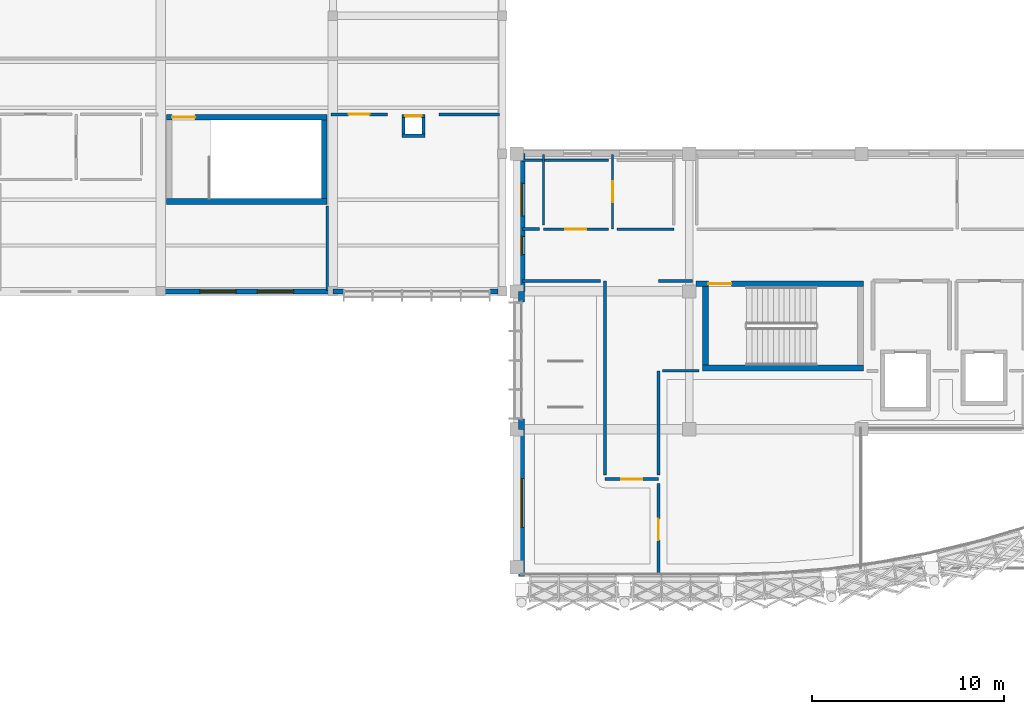
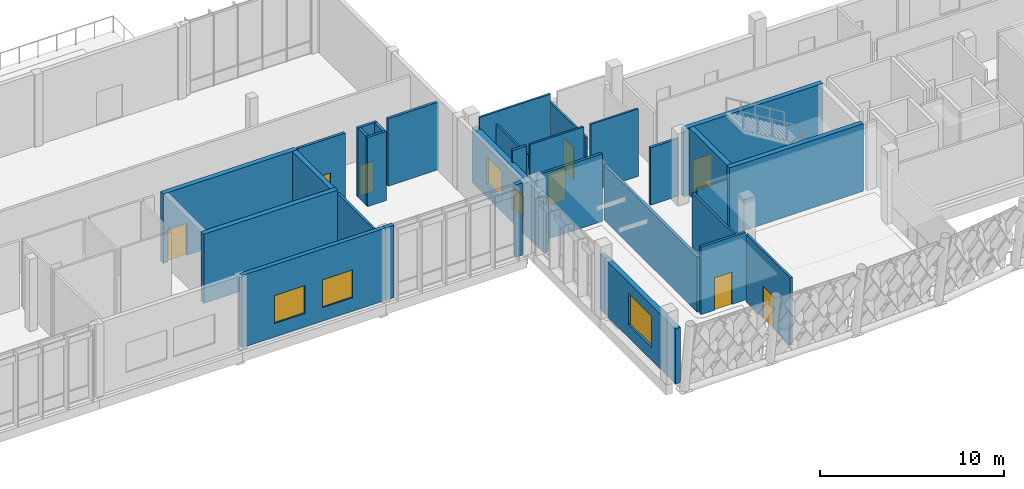
# One storey, part 150 of 177: 33 walls, 8 doors, 5 windows, 13 openings.
"""IFC4 building model written with IfcOpenShell, lengths in metres."""

from ifc_helpers import new_model, si_unit, direction, frame, frame_2d, origin, place, context, subcontext, project, spatial, rectangle, extrude, material, layer, layer_set, type_object, element, fill, save


model = new_model("IFC4")

# Units and contexts
model_context = context("Model", 3, precision=1e-05, world=origin(), true_north=direction((0.0, 1.0)))
body_context = subcontext(model_context, "Body", "Model", "MODEL_VIEW")
ifc_project = project(units=[si_unit("LENGTHUNIT", "METRE"), si_unit("AREAUNIT", "SQUARE_METRE"), si_unit("VOLUMEUNIT", "CUBIC_METRE"), si_unit("PLANEANGLEUNIT", "RADIAN"), si_unit("MASSUNIT", "GRAM", prefix="KILO")], contexts=[model_context])

# Site, building, storey
site_placement = place(None, origin())
site = spatial("IfcSite", under=ifc_project, at=site_placement, CompositionType="ELEMENT")
building_placement = place(site_placement, origin())
building = spatial("IfcBuilding", under=site, at=building_placement, Name="Chiffa Square Polytechnic", CompositionType="ELEMENT")
storey_placement = place(building_placement, frame((0.0, 0.0, 4.800048828125)))
storey = spatial("IfcBuildingStorey", under=building, at=storey_placement, Name="L01", CompositionType="ELEMENT", Elevation=4.800048828125)

# Wall
ifc_material_1 = material(Name="Concrete C40/50", Category="concrete")
ifc_layer_1 = layer(ifc_material_1, 0.300048828125, Name="Concrete C40/50")
ifc_layer_set_1 = layer_set([ifc_layer_1], Name="Concrete C40/50")
wall_type_1 = type_object("IfcWallType", Name="WL-CORE-300", PredefinedType="SHEAR", material=ifc_layer_set_1)
wall_1_placement = place(storey_placement, frame((121.89990234375, 17.60009765625, 0.0), z_axis=(0.0, 0.0, 1.0), x_axis=(1.0, 0.0, 0.0)))
element("IfcWall", 1, at=wall_1_placement, inside=storey, type_object=wall_type_1, Name="Core or enclosure wall WC-CORE-V1A-L01-SOUTH", PredefinedType="SHEAR", context=body_context, shape_type="SweptSolid", body=[
    extrude(rectangle(XDim=8.400146484375, YDim=0.300048828125, at=frame_2d((4.2001953125, 0.0))), origin(), (0.0, 0.0, 1.0), 4.47998046875),
])

# Wall, opening, door
wall_2_placement = place(storey_placement, frame((121.550048828125, 22.0, 0.0), z_axis=(0.0, 0.0, 1.0), x_axis=(1.0, 0.0, 0.0)))
wall_2 = element("IfcWall", 2, at=wall_2_placement, inside=storey, type_object=wall_type_1, Name="Core or enclosure wall WC-CORE-V1A-L01-NORTH", PredefinedType="SHEAR", context=body_context, shape_type="SweptSolid", body=[
    extrude(rectangle(XDim=8.75, YDim=0.300048828125, at=frame_2d((4.375, 0.0))), origin(), (0.0, 0.0, 1.0), 4.47998046875),
])
opening_1_placement = place(wall_2_placement, frame((0.64990234375, 0.0, 0.0)))
opening_1 = element("IfcOpeningElement", 3, at=opening_1_placement, cuts=wall_2, Name="Opening DS-L01-003", PredefinedType="OPENING", context=body_context, shape_type="SweptSolid", body=[
    extrude(rectangle(XDim=1.199951171875, YDim=2.14990234375, at=frame_2d((0.60009765625, 1.074951171875))), frame((0.0, 0.16015625, 0.0), z_axis=(0.0, -1.0, 0.0), x_axis=(1.0, 0.0, 0.0)), (0.0, 0.0, 1.0), 0.320068359375),
])
ifc_material_2 = material(Name="Fire-rated painted steel leaf", Category="steel")
door_type_1 = type_object("IfcDoorType", Name="DR-STAIR-1200", OperationType="NOTDEFINED", PredefinedType="DOOR", material=ifc_material_2)
door_1_placement = place(opening_1_placement, origin())
door_1 = element("IfcDoor", 4, at=door_1_placement, inside=storey, type_object=door_type_1, Name="Enclosure door DS-L01-003", OperationType="SINGLE_SWING_LEFT", OverallHeight=2.14990234375, OverallWidth=1.199951171875, PredefinedType="DOOR", context=body_context, shape_type="SweptSolid", body=[
    extrude(rectangle(XDim=1.199951171875, YDim=2.14990234375, at=frame_2d((0.60009765625, 1.074951171875))), frame((0.0, 0.02490234375, 0.0), z_axis=(0.0, -1.0, 0.0), x_axis=(1.0, 0.0, 0.0)), (0.0, 0.0, 1.0), 0.050048828125),
])
fill(opening_1, door_1)

# Walls
wall_3_placement = place(storey_placement, frame((122.050048828125, 17.75, 0.0), z_axis=(0.0, 0.0, 1.0), x_axis=(0.0, 1.0, 0.0)))
element("IfcWall", 5, at=wall_3_placement, inside=storey, type_object=wall_type_1, Name="Core or enclosure wall WC-CORE-V1A-L01-WEST", PredefinedType="SHEAR", context=body_context, shape_type="SweptSolid", body=[
    extrude(rectangle(XDim=4.10009765625, YDim=0.300048828125, at=frame_2d((2.050048828125, 0.0))), origin(), (0.0, 0.0, 1.0), 4.47998046875),
])
wall_4_placement = place(storey_placement, frame((93.89990234375, 26.300048828125, 0.0), z_axis=(0.0, 0.0, 1.0), x_axis=(1.0, 0.0, 0.0)))
element("IfcWall", 6, at=wall_4_placement, inside=storey, type_object=wall_type_1, Name="Core or enclosure wall WC-CORE-V4B-L01-SOUTH", PredefinedType="SHEAR", context=body_context, shape_type="SweptSolid", body=[
    extrude(rectangle(XDim=8.400146484375, YDim=0.300048828125, at=frame_2d((4.2001953125, 0.0))), origin(), (0.0, 0.0, 1.0), 4.599853515625),
])

# Wall, opening, door
wall_5_placement = place(storey_placement, frame((93.89990234375, 30.699951171875, 0.0), z_axis=(0.0, 0.0, 1.0), x_axis=(1.0, 0.0, 0.0)))
wall_5 = element("IfcWall", 7, at=wall_5_placement, inside=storey, type_object=wall_type_1, Name="Core or enclosure wall WC-CORE-V4B-L01-NORTH", PredefinedType="SHEAR", context=body_context, shape_type="SweptSolid", body=[
    extrude(rectangle(XDim=8.400146484375, YDim=0.300048828125, at=frame_2d((4.2001953125, 0.0))), origin(), (0.0, 0.0, 1.0), 4.599853515625),
])
opening_2_placement = place(wall_5_placement, frame((0.300048828125, 0.0, 0.0)))
opening_2 = element("IfcOpeningElement", 8, at=opening_2_placement, cuts=wall_5, Name="Opening DS-L01-030", PredefinedType="OPENING", context=body_context, shape_type="SweptSolid", body=[
    extrude(rectangle(XDim=1.199951171875, YDim=2.14990234375, at=frame_2d((0.60009765625, 1.074951171875))), frame((0.0, 0.16015625, 0.0), z_axis=(0.0, -1.0, 0.0), x_axis=(1.0, 0.0, 0.0)), (0.0, 0.0, 1.0), 0.320068359375),
])
door_2_placement = place(opening_2_placement, origin())
door_2 = element("IfcDoor", 9, at=door_2_placement, inside=storey, type_object=door_type_1, Name="Enclosure door DS-L01-030", OperationType="SINGLE_SWING_RIGHT", OverallHeight=2.14990234375, OverallWidth=1.199951171875, PredefinedType="DOOR", context=body_context, shape_type="SweptSolid", body=[
    extrude(rectangle(XDim=1.199951171875, YDim=2.14990234375, at=frame_2d((0.60009765625, 1.074951171875))), frame((0.0, 0.02490234375, 0.0), z_axis=(0.0, -1.0, 0.0), x_axis=(1.0, 0.0, 0.0)), (0.0, 0.0, 1.0), 0.050048828125),
])
fill(opening_2, door_2)

# Wall
wall_6_placement = place(storey_placement, frame((102.14990234375, 26.449951171875, 0.0), z_axis=(0.0, 0.0, 1.0), x_axis=(0.0, 1.0, 0.0)))
element("IfcWall", 10, at=wall_6_placement, inside=storey, type_object=wall_type_1, Name="Core or enclosure wall WC-CORE-V4B-L01-EAST", PredefinedType="SHEAR", context=body_context, shape_type="SweptSolid", body=[
    extrude(rectangle(XDim=4.10009765625, YDim=0.300048828125, at=frame_2d((2.050048828125, 0.0))), origin(), (0.0, 0.0, 1.0), 4.599853515625),
])

# Wall, openings, windows
ifc_material_3 = material(Name="Precast concrete C40/50", Category="concrete")
ifc_layer_2 = layer(ifc_material_3, 0.260009765625, Name="Precast concrete C40/50")
ifc_layer_set_2 = layer_set([ifc_layer_2], Name="Precast concrete C40/50")
wall_type_2 = type_object("IfcWallType", Name="WL-EXT-PC260", PredefinedType="SOLIDWALL", material=ifc_layer_set_2)
wall_7_placement = place(storey_placement, frame((93.60009765625, 21.60009765625, 0.0), z_axis=(0.0, 0.0, 1.0), x_axis=(1.0, 0.0, 0.0)))
wall_7 = element("IfcWall", 11, at=wall_7_placement, inside=storey, type_object=wall_type_2, Name="Exterior wall WE-V4-L01-0206", PredefinedType="SOLIDWALL", context=body_context, shape_type="SweptSolid", body=[
    extrude(rectangle(XDim=9.0, YDim=0.260009765625, at=frame_2d((4.5, 0.0))), origin(), (0.0, 0.0, 1.0), 4.800048828125),
])
opening_3_placement = place(wall_7_placement, frame((2.050048828125, 0.0, 0.89990234375)))
opening_3 = element("IfcOpeningElement", 12, at=opening_3_placement, cuts=wall_7, Name="Opening W-28", PredefinedType="OPENING", context=body_context, shape_type="SweptSolid", body=[
    extrude(rectangle(XDim=1.89990234375, YDim=1.85009765625, at=frame_2d((0.949951171875, 0.925048828125))), frame((0.0, 0.14013671875, 0.0), z_axis=(0.0, -1.0, 0.0), x_axis=(1.0, 0.0, 0.0)), (0.0, 0.0, 1.0), 0.280029296875),
])
opening_4_placement = place(wall_7_placement, frame((5.050048828125, 0.0, 0.89990234375)))
opening_4 = element("IfcOpeningElement", 13, at=opening_4_placement, cuts=wall_7, Name="Opening W-28", PredefinedType="OPENING", context=body_context, shape_type="SweptSolid", body=[
    extrude(rectangle(XDim=1.89990234375, YDim=1.85009765625, at=frame_2d((0.949951171875, 0.925048828125))), frame((0.0, 0.14013671875, 0.0), z_axis=(0.0, -1.0, 0.0), x_axis=(1.0, 0.0, 0.0)), (0.0, 0.0, 1.0), 0.280029296875),
])
ifc_material_4 = material(Name="Double glazing in thermally broken aluminium frame", Category="aluminium")
window_type_1 = type_object("IfcWindowType", Name="WIN-REF-1900X1850", PartitioningType="DOUBLE_PANEL_VERTICAL", PredefinedType="WINDOW", material=ifc_material_4)
window_1_placement = place(opening_3_placement, origin())
window_1 = element("IfcWindow", 14, at=window_1_placement, inside=storey, type_object=window_type_1, Name="Facade window WN-L01-0146", OverallHeight=1.85009765625, OverallWidth=1.89990234375, PartitioningType="DOUBLE_PANEL_VERTICAL", PredefinedType="WINDOW", context=body_context, shape_type="SweptSolid", body=[
    extrude(rectangle(XDim=1.89990234375, YDim=1.85009765625, at=frame_2d((0.949951171875, 0.925048828125))), frame((0.0, 0.030029296875, 0.0), z_axis=(0.0, -1.0, 0.0), x_axis=(1.0, 0.0, 0.0)), (0.0, 0.0, 1.0), 0.06005859375),
])
fill(opening_3, window_1)
window_2_placement = place(opening_4_placement, origin())
window_2 = element("IfcWindow", 15, at=window_2_placement, inside=storey, type_object=window_type_1, Name="Facade window WN-L01-0147", OverallHeight=1.85009765625, OverallWidth=1.89990234375, PartitioningType="DOUBLE_PANEL_VERTICAL", PredefinedType="WINDOW", context=body_context, shape_type="SweptSolid", body=[
    extrude(rectangle(XDim=1.89990234375, YDim=1.85009765625, at=frame_2d((0.949951171875, 0.925048828125))), frame((0.0, 0.030029296875, 0.0), z_axis=(0.0, -1.0, 0.0), x_axis=(1.0, 0.0, 0.0)), (0.0, 0.0, 1.0), 0.06005859375),
])
fill(opening_4, window_2)

# Walls
wall_8_placement = place(storey_placement, frame((102.60009765625, 21.60009765625, 0.0), z_axis=(0.0, 0.0, 1.0), x_axis=(1.0, 0.0, 0.0)))
element("IfcWall", 16, at=wall_8_placement, inside=storey, type_object=wall_type_2, Name="Facade column pier V4-L01-0207L", PredefinedType="SOLIDWALL", context=body_context, shape_type="SweptSolid", body=[
    extrude(rectangle(XDim=0.539794921875, YDim=0.260009765625, at=frame_2d((0.27001953125, 0.0))), origin(), (0.0, 0.0, 1.0), 4.800048828125),
])
wall_9_placement = place(storey_placement, frame((110.81005859375, 21.60009765625, 0.0), z_axis=(0.0, 0.0, 1.0), x_axis=(1.0, 0.0, 0.0)))
element("IfcWall", 17, at=wall_9_placement, inside=storey, type_object=wall_type_2, Name="Facade column pier V4-L01-0207R", PredefinedType="SOLIDWALL", context=body_context, shape_type="SweptSolid", body=[
    extrude(rectangle(XDim=0.412841796875, YDim=0.260009765625, at=frame_2d((0.20654296875, 0.0))), origin(), (0.0, 0.0, 1.0), 4.800048828125),
])
ifc_layer_3 = layer(ifc_material_3, 0.300048828125, Name="Precast concrete C40/50")
ifc_layer_set_3 = layer_set([ifc_layer_3], Name="Precast concrete C40/50")
wall_type_3 = type_object("IfcWallType", Name="WL-EXT-PC300", PredefinedType="SOLIDWALL", material=ifc_layer_set_3)
for number, where, z_axis, x_axis, name in (
    (18, (112.449951171875, 21.60009765625, 0.0), (0.0, 0.0, 1.0), (0.0, -1.0, 0.0), "Facade column pier V1-L01-0031L"),
    (19, (112.449951171875, 14.93994140625, 0.0), (0.0, 0.0, 1.0), (0.0, -1.0, 0.0), "Facade column pier V1-L01-0031R"),
):
    element("IfcWall", number, at=place(storey_placement, frame(where, z_axis=z_axis, x_axis=x_axis)), inside=storey, type_object=wall_type_3, Name=name, PredefinedType="SOLIDWALL", context=body_context, shape_type="SweptSolid", body=[
        extrude(rectangle(XDim=0.5400390625, YDim=0.300048828125, at=frame_2d((0.27001953125, 0.0))), origin(), (0.0, 0.0, 1.0), 3.6650390625),
    ])

# Wall, opening, window
ifc_layer_4 = layer(ifc_material_3, 0.320068359375, Name="Precast concrete C40/50")
ifc_layer_set_4 = layer_set([ifc_layer_4], Name="Precast concrete C40/50")
wall_type_4 = type_object("IfcWallType", Name="WL-EXT-PC320", PredefinedType="SOLIDWALL", material=ifc_layer_set_4)
wall_10_placement = place(storey_placement, frame((112.449951171875, 14.39990234375, 0.0), z_axis=(0.0, 0.0, 1.0), x_axis=(0.0, -1.0, 0.0)))
wall_10 = element("IfcWall", 20, at=wall_10_placement, inside=storey, type_object=wall_type_4, Name="Exterior wall WE-V1-L01-0032", PredefinedType="SOLIDWALL", context=body_context, shape_type="SweptSolid", body=[
    extrude(rectangle(XDim=7.69189453125, YDim=0.320068359375, at=frame_2d((3.845947265625, 0.0))), origin(), (0.0, 0.0, 1.0), 3.6650390625),
])
opening_5_placement = place(wall_10_placement, frame((2.571044921875, 0.0, 0.85009765625)))
opening_5 = element("IfcOpeningElement", 21, at=opening_5_placement, cuts=wall_10, Name="Opening W-09", PredefinedType="OPENING", context=body_context, shape_type="SweptSolid", body=[
    extrude(rectangle(XDim=2.550048828125, YDim=2.10009765625, at=frame_2d((1.27490234375, 1.050048828125))), frame((0.0, 0.169921875, 0.0), z_axis=(0.0, -1.0, 0.0), x_axis=(1.0, 0.0, 0.0)), (0.0, 0.0, 1.0), 0.340087890625),
])
window_type_2 = type_object("IfcWindowType", Name="WIN-STD-2550X2100", PartitioningType="DOUBLE_PANEL_VERTICAL", PredefinedType="WINDOW", material=ifc_material_4)
window_3_placement = place(opening_5_placement, origin())
window_3 = element("IfcWindow", 22, at=window_3_placement, inside=storey, type_object=window_type_2, Name="Facade window WN-L01-0029", OverallHeight=2.10009765625, OverallWidth=2.550048828125, PartitioningType="DOUBLE_PANEL_VERTICAL", PredefinedType="WINDOW", context=body_context, shape_type="SweptSolid", body=[
    extrude(rectangle(XDim=2.550048828125, YDim=2.10009765625, at=frame_2d((1.27490234375, 1.050048828125))), frame((0.0, 0.030029296875, 0.0), z_axis=(0.0, -1.0, 0.0), x_axis=(1.0, 0.0, 0.0)), (0.0, 0.0, 1.0), 0.06005859375),
])
fill(opening_5, window_3)

# Wall, openings, windows
ifc_layer_5 = layer(ifc_material_3, 0.340087890625, Name="Precast concrete C40/50")
ifc_layer_set_5 = layer_set([ifc_layer_5], Name="Precast concrete C40/50")
wall_type_5 = type_object("IfcWallType", Name="WL-EXT-PC340", PredefinedType="SOLIDWALL", material=ifc_layer_set_5)
wall_11_placement = place(storey_placement, frame((112.449951171875, 28.800048828125, 0.0), z_axis=(0.0, 0.0, 1.0), x_axis=(0.0, -1.0, 0.0)))
wall_11 = element("IfcWall", 23, at=wall_11_placement, inside=storey, type_object=wall_type_5, Name="Exterior wall WE-V1-L01-0030", PredefinedType="SOLIDWALL", context=body_context, shape_type="SweptSolid", body=[
    extrude(rectangle(XDim=7.199951171875, YDim=0.340087890625, at=frame_2d((3.60009765625, 0.0))), origin(), (0.0, 0.0, 1.0), 3.6650390625),
])
opening_6_placement = place(wall_11_placement, frame((1.550048828125, 0.0, 0.85009765625)))
opening_6 = element("IfcOpeningElement", 24, at=opening_6_placement, cuts=wall_11, Name="Opening W-14", PredefinedType="OPENING", context=body_context, shape_type="SweptSolid", body=[
    extrude(rectangle(XDim=1.699951171875, YDim=1.85009765625, at=frame_2d((0.85009765625, 0.925048828125))), frame((0.0, 0.18017578125, 0.0), z_axis=(0.0, -1.0, 0.0), x_axis=(1.0, 0.0, 0.0)), (0.0, 0.0, 1.0), 0.360107421875),
])
opening_7_placement = place(wall_11_placement, frame((4.324951171875, 0.0, 0.85009765625)))
opening_7 = element("IfcOpeningElement", 25, at=opening_7_placement, cuts=wall_11, Name="Opening W-21", PredefinedType="OPENING", context=body_context, shape_type="SweptSolid", body=[
    extrude(rectangle(XDim=0.949951171875, YDim=1.35009765625, at=frame_2d((0.47509765625, 0.675048828125))), frame((0.0, 0.18017578125, 0.0), z_axis=(0.0, -1.0, 0.0), x_axis=(1.0, 0.0, 0.0)), (0.0, 0.0, 1.0), 0.360107421875),
])
window_type_3 = type_object("IfcWindowType", Name="WIN-OFF-0950X1350", PartitioningType="DOUBLE_PANEL_VERTICAL", PredefinedType="WINDOW", material=ifc_material_4)
window_4_placement = place(opening_7_placement, origin())
window_4 = element("IfcWindow", 26, at=window_4_placement, inside=storey, type_object=window_type_3, Name="Facade window WN-L01-0028", OverallHeight=1.35009765625, OverallWidth=0.949951171875, PartitioningType="DOUBLE_PANEL_VERTICAL", PredefinedType="WINDOW", context=body_context, shape_type="SweptSolid", body=[
    extrude(rectangle(XDim=0.949951171875, YDim=1.35009765625, at=frame_2d((0.47509765625, 0.675048828125))), frame((0.0, 0.030029296875, 0.0), z_axis=(0.0, -1.0, 0.0), x_axis=(1.0, 0.0, 0.0)), (0.0, 0.0, 1.0), 0.06005859375),
])
fill(opening_7, window_4)
window_type_4 = type_object("IfcWindowType", Name="WIN-STD-1700X1850", PartitioningType="DOUBLE_PANEL_VERTICAL", PredefinedType="WINDOW", material=ifc_material_4)
window_5_placement = place(opening_6_placement, origin())
window_5 = element("IfcWindow", 27, at=window_5_placement, inside=storey, type_object=window_type_4, Name="Facade window WN-L01-0027", OverallHeight=1.85009765625, OverallWidth=1.699951171875, PartitioningType="DOUBLE_PANEL_VERTICAL", PredefinedType="WINDOW", context=body_context, shape_type="SweptSolid", body=[
    extrude(rectangle(XDim=1.699951171875, YDim=1.85009765625, at=frame_2d((0.85009765625, 0.925048828125))), frame((0.0, 0.030029296875, 0.0), z_axis=(0.0, -1.0, 0.0), x_axis=(1.0, 0.0, 0.0)), (0.0, 0.0, 1.0), 0.06005859375),
])
fill(opening_6, window_5)

# Wall
ifc_material_5 = material(Name="Gypsum board on steel stud", Category="steel")
ifc_layer_6 = layer(ifc_material_5, 0.125, Name="Gypsum board on steel stud")
ifc_layer_set_6 = layer_set([ifc_layer_6], Name="Gypsum board on steel stud")
wall_type_6 = type_object("IfcWallType", Name="WL-PART-125", PredefinedType="PARTITIONING", material=ifc_layer_set_6)
wall_12_placement = place(storey_placement, frame((119.820068359375, 17.449951171875, 0.0), z_axis=(0.0, 0.0, 1.0), x_axis=(1.0, 0.0, 0.0)))
element("IfcWall", 28, at=wall_12_placement, inside=storey, type_object=wall_type_6, Name="Interior partition WP-V1-L01-0293", PredefinedType="PARTITIONING", context=body_context, shape_type="SweptSolid", body=[
    extrude(rectangle(XDim=1.892822265625, YDim=0.125, at=frame_2d((0.9462890625, 0.0))), origin(), (0.0, 0.0, 1.0), 3.81494140625),
])

# Wall, opening, door
ifc_layer_7 = layer(ifc_material_5, 0.135009765625, Name="Gypsum board on steel stud")
ifc_layer_set_7 = layer_set([ifc_layer_7], Name="Gypsum board on steel stud")
wall_type_7 = type_object("IfcWallType", Name="WL-PART-135", PredefinedType="PARTITIONING", material=ifc_layer_set_7)
wall_13_placement = place(storey_placement, frame((119.60009765625, 6.762939453125, 0.0), z_axis=(0.0, 0.0, 1.0), x_axis=(0.0, 1.0, 0.0)))
wall_13 = element("IfcWall", 29, at=wall_13_placement, inside=storey, type_object=wall_type_7, Name="Interior partition WP-V1-L01-0277", PredefinedType="PARTITIONING", context=body_context, shape_type="SweptSolid", body=[
    extrude(rectangle(XDim=4.817138671875, YDim=0.135009765625, at=frame_2d((2.40869140625, 0.0))), origin(), (0.0, 0.0, 1.0), 4.47998046875),
])
opening_8_placement = place(wall_13_placement, frame((1.85888671875, 0.0, 0.0)))
opening_8 = element("IfcOpeningElement", 30, at=opening_8_placement, cuts=wall_13, Name="Opening DI-L01-129", PredefinedType="OPENING", context=body_context, shape_type="SweptSolid", body=[
    extrude(rectangle(XDim=1.10009765625, YDim=2.14990234375, at=frame_2d((0.550048828125, 1.074951171875))), frame((0.0, 0.07763671875, 0.0), z_axis=(0.0, -1.0, 0.0), x_axis=(1.0, 0.0, 0.0)), (0.0, 0.0, 1.0), 0.155029296875),
])
ifc_material_6 = material(Name="Solid core ash veneer door")
door_type_2 = type_object("IfcDoorType", Name="DR-INT-1100", OperationType="NOTDEFINED", PredefinedType="DOOR", material=ifc_material_6)
door_3_placement = place(opening_8_placement, origin())
door_3 = element("IfcDoor", 31, at=door_3_placement, inside=storey, type_object=door_type_2, Name="Interior room door DI-L01-129", OperationType="SINGLE_SWING_RIGHT", OverallHeight=2.14990234375, OverallWidth=1.10009765625, PredefinedType="DOOR", context=body_context, shape_type="SweptSolid", body=[
    extrude(rectangle(XDim=1.10009765625, YDim=2.14990234375, at=frame_2d((0.550048828125, 1.074951171875))), frame((0.0, 0.02490234375, 0.0), z_axis=(0.0, -1.0, 0.0), x_axis=(1.0, 0.0, 0.0)), (0.0, 0.0, 1.0), 0.050048828125),
])
fill(opening_8, door_3)

# Walls
wall_14_placement = place(storey_placement, frame((102.300048828125, 21.655029296875, 0.0), z_axis=(0.0, 0.0, 1.0), x_axis=(0.0, 1.0, 0.0)))
element("IfcWall", 32, at=wall_14_placement, inside=storey, type_object=wall_type_7, Name="Interior partition WP-V4-L01-0280", PredefinedType="PARTITIONING", context=body_context, shape_type="SweptSolid", body=[
    extrude(rectangle(XDim=4.405029296875, YDim=0.135009765625, at=frame_2d((2.20263671875, 0.0))), origin(), (0.0, 0.0, 1.0), 4.47998046875),
])
wall_15_placement = place(storey_placement, frame((119.60009765625, 12.02001953125, 0.0), z_axis=(0.0, 0.0, 1.0), x_axis=(0.0, 1.0, 0.0)))
element("IfcWall", 33, at=wall_15_placement, inside=storey, type_object=wall_type_7, Name="Interior partition WP-V1-L01-0292", PredefinedType="PARTITIONING", context=body_context, shape_type="SweptSolid", body=[
    extrude(rectangle(XDim=5.429931640625, YDim=0.135009765625, at=frame_2d((2.71484375, 0.0))), origin(), (0.0, 0.0, 1.0), 3.6650390625),
])
ifc_material_7 = material(Name="Gypsum board on acoustic steel stud", Category="steel")
ifc_layer_8 = layer(ifc_material_7, 0.159912109375, Name="Gypsum board on acoustic steel stud")
ifc_layer_set_8 = layer_set([ifc_layer_8], Name="Gypsum board on acoustic steel stud")
wall_type_8 = type_object("IfcWallType", Name="WL-PART-EI60-160", PredefinedType="PARTITIONING", material=ifc_layer_set_8)
wall_16_placement = place(storey_placement, frame((106.199951171875, 29.72998046875, 0.0), z_axis=(0.0, 0.0, 1.0), x_axis=(1.0, 0.0, 0.0)))
element("IfcWall", 34, at=wall_16_placement, inside=storey, type_object=wall_type_8, Name="Core or enclosure wall WP-RSR-V4-E-L01-SOUTH", PredefinedType="PARTITIONING", context=body_context, shape_type="SweptSolid", body=[
    extrude(rectangle(XDim=1.199951171875, YDim=0.159912109375, at=frame_2d((0.60009765625, 0.0))), origin(), (0.0, 0.0, 1.0), 4.579833984375),
])

# Wall, opening, door
wall_17_placement = place(storey_placement, frame((106.199951171875, 30.77001953125, 0.0), z_axis=(0.0, 0.0, 1.0), x_axis=(1.0, 0.0, 0.0)))
wall_17 = element("IfcWall", 35, at=wall_17_placement, inside=storey, type_object=wall_type_8, Name="Core or enclosure wall WP-RSR-V4-E-L01-NORTH", PredefinedType="PARTITIONING", context=body_context, shape_type="SweptSolid", body=[
    extrude(rectangle(XDim=1.199951171875, YDim=0.159912109375, at=frame_2d((0.60009765625, 0.0))), origin(), (0.0, 0.0, 1.0), 4.579833984375),
])
opening_9_placement = place(wall_17_placement, frame((0.175048828125, 0.0, 0.0)))
opening_9 = element("IfcOpeningElement", 36, at=opening_9_placement, cuts=wall_17, Name="Opening DI-L01-R29", PredefinedType="OPENING", context=body_context, shape_type="SweptSolid", body=[
    extrude(rectangle(XDim=0.85009765625, YDim=2.02001953125, at=frame_2d((0.425048828125, 1.010009765625))), frame((0.0, 0.08984375, 0.0), z_axis=(0.0, -1.0, 0.0), x_axis=(1.0, 0.0, 0.0)), (0.0, 0.0, 1.0), 0.179931640625),
])
ifc_material_8 = material(Name="Fire-rated steel riser access door", Category="steel")
door_type_3 = type_object("IfcDoorType", Name="DR-RISER-850", OperationType="NOTDEFINED", PredefinedType="DOOR", material=ifc_material_8)
door_4_placement = place(opening_9_placement, origin())
door_4 = element("IfcDoor", 37, at=door_4_placement, inside=storey, type_object=door_type_3, Name="Enclosure door DI-L01-R29", OperationType="SINGLE_SWING_LEFT", OverallHeight=2.02001953125, OverallWidth=0.85009765625, PredefinedType="DOOR", context=body_context, shape_type="SweptSolid", body=[
    extrude(rectangle(XDim=0.85009765625, YDim=2.02001953125, at=frame_2d((0.425048828125, 1.010009765625))), frame((0.0, 0.02490234375, 0.0), z_axis=(0.0, -1.0, 0.0), x_axis=(1.0, 0.0, 0.0)), (0.0, 0.0, 1.0), 0.050048828125),
])
fill(opening_9, door_4)

# Walls
for number, where, z_axis, x_axis, name in (
    (38, (106.280029296875, 29.81005859375, 0.0), (0.0, 0.0, 1.0), (0.0, 1.0, 0.0), "Core or enclosure wall WP-RSR-V4-E-L01-WEST"),
    (39, (107.320068359375, 29.81005859375, 0.0), (0.0, 0.0, 1.0), (0.0, 1.0, 0.0), "Core or enclosure wall WP-RSR-V4-E-L01-EAST"),
):
    element("IfcWall", number, at=place(storey_placement, frame(where, z_axis=z_axis, x_axis=x_axis)), inside=storey, type_object=wall_type_8, Name=name, PredefinedType="PARTITIONING", context=body_context, shape_type="SweptSolid", body=[
        extrude(rectangle(XDim=0.8798828125, YDim=0.159912109375, at=frame_2d((0.43994140625, 0.0))), origin(), (0.0, 0.0, 1.0), 4.579833984375),
    ])

# Wall, opening, door
wall_18_placement = place(storey_placement, frame((116.800048828125, 11.800048828125, 0.0), z_axis=(0.0, 0.0, 1.0), x_axis=(1.0, 0.0, 0.0)))
wall_18 = element("IfcWall", 40, at=wall_18_placement, inside=storey, type_object=wall_type_8, Name="Interior partition WP-V1-L01-0274", PredefinedType="PARTITIONING", context=body_context, shape_type="SweptSolid", body=[
    extrude(rectangle(XDim=2.800048828125, YDim=0.159912109375, at=frame_2d((1.39990234375, 0.0))), origin(), (0.0, 0.0, 1.0), 4.47998046875),
])
opening_10_placement = place(wall_18_placement, frame((0.85009765625, 0.0, 0.0)))
opening_10 = element("IfcOpeningElement", 41, at=opening_10_placement, cuts=wall_18, Name="Opening DI-L01-128", PredefinedType="OPENING", context=body_context, shape_type="SweptSolid", body=[
    extrude(rectangle(XDim=1.10009765625, YDim=2.14990234375, at=frame_2d((0.550048828125, 1.074951171875))), frame((0.0, 0.08984375, 0.0), z_axis=(0.0, -1.0, 0.0), x_axis=(1.0, 0.0, 0.0)), (0.0, 0.0, 1.0), 0.179931640625),
])
door_5_placement = place(opening_10_placement, origin())
door_5 = element("IfcDoor", 42, at=door_5_placement, inside=storey, type_object=door_type_2, Name="Interior room door DI-L01-128", OperationType="SINGLE_SWING_LEFT", OverallHeight=2.14990234375, OverallWidth=1.10009765625, PredefinedType="DOOR", context=body_context, shape_type="SweptSolid", body=[
    extrude(rectangle(XDim=1.10009765625, YDim=2.14990234375, at=frame_2d((0.550048828125, 1.074951171875))), frame((0.0, 0.02490234375, 0.0), z_axis=(0.0, -1.0, 0.0), x_axis=(1.0, 0.0, 0.0)), (0.0, 0.0, 1.0), 0.050048828125),
])
fill(opening_10, door_5)

# Walls
wall_19_placement = place(storey_placement, frame((116.800048828125, 12.02001953125, 0.0), z_axis=(0.0, 0.0, 1.0), x_axis=(0.0, 1.0, 0.0)))
element("IfcWall", 43, at=wall_19_placement, inside=storey, type_object=wall_type_8, Name="Interior partition WP-V1-L01-0275", PredefinedType="PARTITIONING", context=body_context, shape_type="SweptSolid", body=[
    extrude(rectangle(XDim=10.1298828125, YDim=0.159912109375, at=frame_2d((5.06494140625, 0.0))), origin(), (0.0, 0.0, 1.0), 3.6650390625),
])
wall_20_placement = place(storey_placement, frame((112.5048828125, 22.14990234375, 0.0), z_axis=(0.0, 0.0, 1.0), x_axis=(1.0, 0.0, 0.0)))
element("IfcWall", 44, at=wall_20_placement, inside=storey, type_object=wall_type_8, Name="Interior partition WP-V1-L01-0276", PredefinedType="PARTITIONING", context=body_context, shape_type="SweptSolid", body=[
    extrude(rectangle(XDim=4.0751953125, YDim=0.159912109375, at=frame_2d((2.03759765625, 0.0))), origin(), (0.0, 0.0, 1.0), 4.47998046875),
])

# Wall, opening, door
wall_21_placement = place(storey_placement, frame((102.487060546875, 30.85009765625, 0.0), z_axis=(0.0, 0.0, 1.0), x_axis=(1.0, 0.0, 0.0)))
wall_21 = element("IfcWall", 45, at=wall_21_placement, inside=storey, type_object=wall_type_8, Name="Interior partition WP-V4-L01-0278", PredefinedType="PARTITIONING", context=body_context, shape_type="SweptSolid", body=[
    extrude(rectangle(XDim=2.967041015625, YDim=0.159912109375, at=frame_2d((1.4833984375, 0.0))), origin(), (0.0, 0.0, 1.0), 4.47998046875),
])
opening_11_placement = place(wall_21_placement, frame((0.93310546875, 0.0, 0.0)))
opening_11 = element("IfcOpeningElement", 46, at=opening_11_placement, cuts=wall_21, Name="Opening DI-L01-130", PredefinedType="OPENING", context=body_context, shape_type="SweptSolid", body=[
    extrude(rectangle(XDim=1.10009765625, YDim=2.14990234375, at=frame_2d((0.550048828125, 1.074951171875))), frame((0.0, 0.08984375, 0.0), z_axis=(0.0, -1.0, 0.0), x_axis=(1.0, 0.0, 0.0)), (0.0, 0.0, 1.0), 0.179931640625),
])
door_6_placement = place(opening_11_placement, origin())
door_6 = element("IfcDoor", 47, at=door_6_placement, inside=storey, type_object=door_type_2, Name="Interior room door DI-L01-130", OperationType="SINGLE_SWING_LEFT", OverallHeight=2.14990234375, OverallWidth=1.10009765625, PredefinedType="DOOR", context=body_context, shape_type="SweptSolid", body=[
    extrude(rectangle(XDim=1.10009765625, YDim=2.14990234375, at=frame_2d((0.550048828125, 1.074951171875))), frame((0.0, 0.02490234375, 0.0), z_axis=(0.0, -1.0, 0.0), x_axis=(1.0, 0.0, 0.0)), (0.0, 0.0, 1.0), 0.050048828125),
])
fill(opening_11, door_6)

# Walls
wall_22_placement = place(storey_placement, frame((108.14599609375, 30.85009765625, 0.0), z_axis=(0.0, 0.0, 1.0), x_axis=(1.0, 0.0, 0.0)))
element("IfcWall", 48, at=wall_22_placement, inside=storey, type_object=wall_type_8, Name="Interior partition WP-V4-L01-0279", PredefinedType="PARTITIONING", context=body_context, shape_type="SweptSolid", body=[
    extrude(rectangle(XDim=3.14892578125, YDim=0.159912109375, at=frame_2d((1.574462890625, 0.0))), origin(), (0.0, 0.0, 1.0), 4.47998046875),
])
wall_23_placement = place(storey_placement, frame((119.60009765625, 22.14990234375, 0.0), z_axis=(0.0, 0.0, 1.0), x_axis=(1.0, 0.0, 0.0)))
element("IfcWall", 49, at=wall_23_placement, inside=storey, type_object=wall_type_8, Name="Interior partition WP-V1-L01-0366", PredefinedType="PARTITIONING", context=body_context, shape_type="SweptSolid", body=[
    extrude(rectangle(XDim=1.762939453125, YDim=0.159912109375, at=frame_2d((0.88134765625, 0.0))), origin(), (0.0, 0.0, 1.0), 3.81494140625),
])
wall_24_placement = place(storey_placement, frame((112.5048828125, 24.85009765625, 0.0), z_axis=(0.0, 0.0, 1.0), x_axis=(1.0, 0.0, 0.0)))
element("IfcWall", 50, at=wall_24_placement, inside=storey, type_object=wall_type_8, Name="Interior partition WP-V1-L01-0367", PredefinedType="PARTITIONING", context=body_context, shape_type="SweptSolid", body=[
    extrude(rectangle(XDim=0.875, YDim=0.159912109375, at=frame_2d((0.4375, 0.0))), origin(), (0.0, 0.0, 1.0), 4.47998046875),
])

# Wall, opening, door
ifc_material_9 = material(Name="Moisture-resistant board partition")
ifc_layer_9 = layer(ifc_material_9, 0.1201171875, Name="Moisture-resistant board partition")
ifc_layer_set_9 = layer_set([ifc_layer_9], Name="Moisture-resistant board partition")
wall_type_9 = type_object("IfcWallType", Name="WL-PART-WC-120", PredefinedType="PARTITIONING", material=ifc_layer_set_9)
wall_25_placement = place(storey_placement, frame((117.199951171875, 24.85009765625, 0.0), z_axis=(0.0, 0.0, 1.0), x_axis=(0.0, 1.0, 0.0)))
wall_25 = element("IfcWall", 51, at=wall_25_placement, inside=storey, type_object=wall_type_9, Name="Interior partition WP-V1-L01-0223", PredefinedType="PARTITIONING", context=body_context, shape_type="SweptSolid", body=[
    extrude(rectangle(XDim=3.89501953125, YDim=0.1201171875, at=frame_2d((1.947509765625, 0.0))), origin(), (0.0, 0.0, 1.0), 3.6650390625),
])
opening_12_placement = place(wall_25_placement, frame((1.39697265625, 0.0, 0.0)))
opening_12 = element("IfcOpeningElement", 52, at=opening_12_placement, cuts=wall_25, Name="Opening DI-L01-109", PredefinedType="OPENING", context=body_context, shape_type="SweptSolid", body=[
    extrude(rectangle(XDim=1.10009765625, YDim=2.14990234375, at=frame_2d((0.550048828125, 1.074951171875))), frame((0.0, 0.070068359375, 0.0), z_axis=(0.0, -1.0, 0.0), x_axis=(1.0, 0.0, 0.0)), (0.0, 0.0, 1.0), 0.14013671875),
])
door_7_placement = place(opening_12_placement, origin())
door_7 = element("IfcDoor", 53, at=door_7_placement, inside=storey, type_object=door_type_2, Name="Interior room door DI-L01-109", OperationType="SINGLE_SWING_LEFT", OverallHeight=2.14990234375, OverallWidth=1.10009765625, PredefinedType="DOOR", context=body_context, shape_type="SweptSolid", body=[
    extrude(rectangle(XDim=1.10009765625, YDim=2.14990234375, at=frame_2d((0.550048828125, 1.074951171875))), frame((0.0, 0.02490234375, 0.0), z_axis=(0.0, -1.0, 0.0), x_axis=(1.0, 0.0, 0.0)), (0.0, 0.0, 1.0), 0.050048828125),
])
fill(opening_12, door_7)

# Walls
wall_26_placement = place(storey_placement, frame((117.419921875, 24.85009765625, 0.0), z_axis=(0.0, 0.0, 1.0), x_axis=(1.0, 0.0, 0.0)))
element("IfcWall", 54, at=wall_26_placement, inside=storey, type_object=wall_type_9, Name="Interior partition WP-V1-L01-0224", PredefinedType="PARTITIONING", context=body_context, shape_type="SweptSolid", body=[
    extrude(rectangle(XDim=2.97998046875, YDim=0.1201171875, at=frame_2d((1.489990234375, 0.0))), origin(), (0.0, 0.0, 1.0), 4.47998046875),
])
wall_27_placement = place(storey_placement, frame((112.5048828125, 28.449951171875, 0.0), z_axis=(0.0, 0.0, 1.0), x_axis=(1.0, 0.0, 0.0)))
element("IfcWall", 55, at=wall_27_placement, inside=storey, type_object=wall_type_9, Name="Interior partition WP-V1-L01-0235", PredefinedType="PARTITIONING", context=body_context, shape_type="SweptSolid", body=[
    extrude(rectangle(XDim=4.47509765625, YDim=0.1201171875, at=frame_2d((2.237548828125, 0.0))), origin(), (0.0, 0.0, 1.0), 4.47998046875),
])

# Wall, opening, door
wall_28_placement = place(storey_placement, frame((113.60009765625, 24.85009765625, 0.0), z_axis=(0.0, 0.0, 1.0), x_axis=(1.0, 0.0, 0.0)))
wall_28 = element("IfcWall", 56, at=wall_28_placement, inside=storey, type_object=wall_type_9, Name="Interior partition WP-V1-L01-0236", PredefinedType="PARTITIONING", context=body_context, shape_type="SweptSolid", body=[
    extrude(rectangle(XDim=3.3798828125, YDim=0.1201171875, at=frame_2d((1.68994140625, 0.0))), origin(), (0.0, 0.0, 1.0), 4.47998046875),
])
opening_13_placement = place(wall_28_placement, frame((1.139892578125, 0.0, 0.0)))
opening_13 = element("IfcOpeningElement", 57, at=opening_13_placement, cuts=wall_28, Name="Opening DI-L01-112", PredefinedType="OPENING", context=body_context, shape_type="SweptSolid", body=[
    extrude(rectangle(XDim=1.10009765625, YDim=2.14990234375, at=frame_2d((0.550048828125, 1.074951171875))), frame((0.0, 0.070068359375, 0.0), z_axis=(0.0, -1.0, 0.0), x_axis=(1.0, 0.0, 0.0)), (0.0, 0.0, 1.0), 0.14013671875),
])
door_8_placement = place(opening_13_placement, origin())
door_8 = element("IfcDoor", 58, at=door_8_placement, inside=storey, type_object=door_type_2, Name="Interior room door DI-L01-112", OperationType="SINGLE_SWING_LEFT", OverallHeight=2.14990234375, OverallWidth=1.10009765625, PredefinedType="DOOR", context=body_context, shape_type="SweptSolid", body=[
    extrude(rectangle(XDim=1.10009765625, YDim=2.14990234375, at=frame_2d((0.550048828125, 1.074951171875))), frame((0.0, 0.02490234375, 0.0), z_axis=(0.0, -1.0, 0.0), x_axis=(1.0, 0.0, 0.0)), (0.0, 0.0, 1.0), 0.050048828125),
])
fill(opening_13, door_8)

# Wall
wall_29_placement = place(storey_placement, frame((113.60009765625, 25.070068359375, 0.0), z_axis=(0.0, 0.0, 1.0), x_axis=(0.0, 1.0, 0.0)))
element("IfcWall", 59, at=wall_29_placement, inside=storey, type_object=wall_type_9, Name="Interior partition WP-V1-L01-0237", PredefinedType="PARTITIONING", context=body_context, shape_type="SweptSolid", body=[
    extrude(rectangle(XDim=3.675048828125, YDim=0.1201171875, at=frame_2d((1.83740234375, 0.0))), origin(), (0.0, 0.0, 1.0), 3.6650390625),
])

save(model, "model.ifc")
